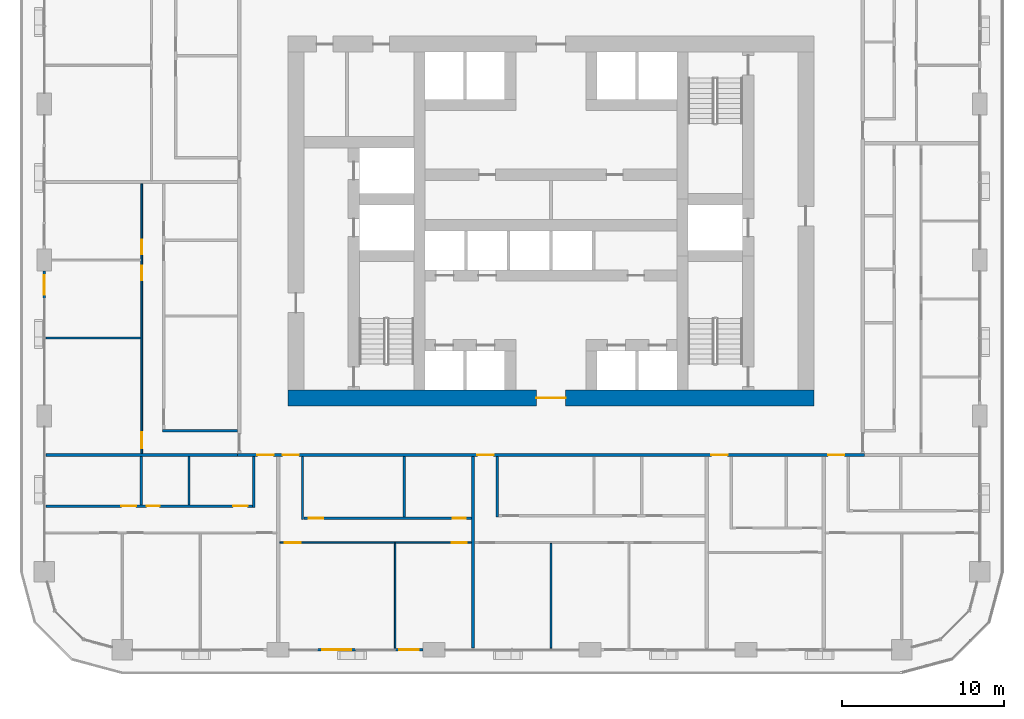
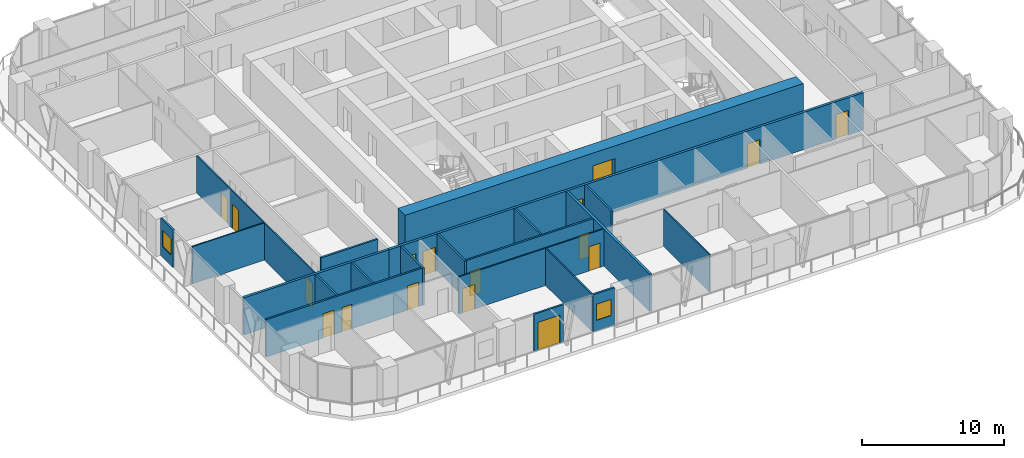
# One storey, part 9 of 21: 21 walls, 17 doors, 2 windows, 19 openings.
"""IFC4 building model written with IfcOpenShell, lengths in metres."""

import ifcopenshell
import ifcopenshell.guid

model = None  # the IFC model being written
_history = None  # IfcOwnerHistory: only IFC2X3 demands one
_inside = {}  # id of a spatial element -> (the spatial element, [elements in it])
_under = {}  # id of a project, library or spatial element -> (it, [spatial elements below it])
_declared = {}  # id of a project -> (the project, [libraries it declares])
_typed = {}  # id of a type object -> (the type object, [elements of that type])
_made_of = {}  # id of a material, layer set ... -> (it, [elements and type objects made of it])


def new_model(schema):
    """Start an empty IFC model of exactly this schema.

    Asked for "IFC4X3", IfcOpenShell would pick the latest addendum, in which some entities
    have other attributes; the version numbers below select the first issue.
    IFC2X3 requires an IfcOwnerHistory on every rooted entity: one is made here for all.
    """
    global model, _history
    if schema == "IFC4X3":
        model = ifcopenshell.file(schema_version=(4, 3, 0, 0))
    else:
        model = ifcopenshell.file(schema=schema)
    _inside.clear()
    _under.clear()
    _declared.clear()
    _typed.clear()
    _made_of.clear()
    _history = None
    if model.schema == "IFC2X3":
        org = make("IfcOrganization", Name="unknown")
        user = make(
            "IfcPersonAndOrganization",
            ThePerson=make("IfcPerson", FamilyName="unknown"),
            TheOrganization=org,
        )
        app = make(
            "IfcApplication",
            ApplicationDeveloper=org,
            Version="unknown",
            ApplicationFullName="unknown",
            ApplicationIdentifier="unknown",
        )
        _history = make(
            "IfcOwnerHistory",
            OwningUser=user,
            OwningApplication=app,
            ChangeAction="ADDED",
            CreationDate=0,
        )
    return model


def make(cls, **values):
    """One entity of the class cls with the attributes given. An attribute that is None is left unset."""
    return model.create_entity(
        cls, **{name: value for name, value in values.items() if value is not None}
    )


def rooted(cls, **values):
    """An entity with a GlobalId (a new one), such as an element, a storey or a relation."""
    return make(cls, GlobalId=ifcopenshell.guid.new(), OwnerHistory=_history, **values)


def si_unit(unit_type, name, prefix=None):
    """IfcSIUnit, for example si_unit("LENGTHUNIT", "METRE", prefix="MILLI")."""
    return make("IfcSIUnit", UnitType=unit_type, Prefix=prefix, Name=name)


def assignment(units):
    """IfcUnitAssignment: the units of a project."""
    return None if units is None else make("IfcUnitAssignment", Units=units)


def point(xyz):
    """IfcCartesianPoint."""
    return None if xyz is None else make("IfcCartesianPoint", Coordinates=xyz)


def direction(xyz):
    """IfcDirection."""
    return None if xyz is None else make("IfcDirection", DirectionRatios=xyz)


def frame(location, z_axis=None, x_axis=None):
    """IfcAxis2Placement3D, a coordinate frame: its origin and axes. An axis left out is left unset."""
    return make(
        "IfcAxis2Placement3D",
        Location=point(location),
        Axis=direction(z_axis),
        RefDirection=direction(x_axis),
    )


def frame_2d(location, x_axis=None):
    """IfcAxis2Placement2D, a coordinate frame in the plane: its origin and x axis."""
    return make(
        "IfcAxis2Placement2D", Location=point(location), RefDirection=direction(x_axis)
    )


def origin():
    """The frame at (0, 0, 0) with its axes left unset."""
    return frame((0.0, 0.0, 0.0))


def place(relative_to, where):
    """IfcLocalPlacement: puts the frame where relative to a parent placement (None: the world)."""
    return make(
        "IfcLocalPlacement", PlacementRelTo=relative_to, RelativePlacement=where
    )


def context(
    kind, dimensions, precision=None, world=None, true_north=None, identifier=None
):
    """IfcGeometricRepresentationContext, for example the 3D "Model" context."""
    return make(
        "IfcGeometricRepresentationContext",
        ContextIdentifier=identifier,
        ContextType=kind,
        CoordinateSpaceDimension=dimensions,
        Precision=precision,
        WorldCoordinateSystem=world,
        TrueNorth=true_north,
    )


def subcontext(parent, identifier, kind, view, scale=None):
    """IfcGeometricRepresentationSubContext, for example "Body" below "Model"."""
    return make(
        "IfcGeometricRepresentationSubContext",
        ContextIdentifier=identifier,
        ContextType=kind,
        ParentContext=parent,
        TargetScale=scale,
        TargetView=view,
    )


def project(units=None, contexts=None):
    """IfcProject with its units and contexts."""
    return rooted(
        "IfcProject",
        Name="project",
        RepresentationContexts=contexts,
        UnitsInContext=assignment(units),
    )


def spatial(cls, under=None, at=None, **own):
    """A site, building, storey or space (cls), placed at a placement, below another one or the project."""
    s = rooted(cls, ObjectPlacement=at, **own)
    if under is not None:
        _under.setdefault(under.id(), (under, []))[1].append(s)
    return s


def profile(cls, at=None, kind="AREA", **sizes):
    """A parametric profile (cls). Its sizes go by their IFC names, for example OverallWidth=200.0."""
    return make(cls, ProfileType=kind, Position=at, **sizes)


def rectangle(**sizes):
    """IfcRectangleProfileDef."""
    return profile("IfcRectangleProfileDef", **sizes)


def extrude(swept, where, along, depth):
    """IfcExtrudedAreaSolid: the profile swept, set in the frame where, extruded along a direction by depth."""
    return make(
        "IfcExtrudedAreaSolid",
        SweptArea=swept,
        Position=where,
        ExtrudedDirection=direction(along),
        Depth=depth,
    )


def shape(context_of_items, identifier, shape_type, items):
    """IfcShapeRepresentation: the items that make up one representation, for example the "Body"."""
    return make(
        "IfcShapeRepresentation",
        ContextOfItems=context_of_items,
        RepresentationIdentifier=identifier,
        RepresentationType=shape_type,
        Items=items,
    )


def material(Name=None, Category=None):
    """IfcMaterial."""
    return make("IfcMaterial", Name=Name, Category=Category)


def layer(
    of_material, thickness, ventilated=None, Name=None, Category=None, Priority=None
):
    """IfcMaterialLayer: one layer of a wall or slab, of a material (None: an air gap)."""
    return make(
        "IfcMaterialLayer",
        Material=of_material,
        LayerThickness=thickness,
        IsVentilated=ventilated,
        Name=Name,
        Category=Category,
        Priority=Priority,
    )


def layer_set(layers, Name=None):
    """IfcMaterialLayerSet."""
    return make("IfcMaterialLayerSet", MaterialLayers=layers, LayerSetName=Name)


def made_of(thing, what):
    """Note that an element or type object is made of a material, layer set ...; save() writes the relation."""
    if what is not None:
        _made_of.setdefault(what.id(), (what, []))[1].append(thing)
    return thing


def type_object(cls, material=None, **own):
    """A type object (cls), such as IfcWallType, which elements share."""
    return made_of(rooted(cls, **own), material)


def element(
    cls,
    number,
    at=None,
    inside=None,
    cuts=None,
    type_object=None,
    material=None,
    context=None,
    identifier="Body",
    shape_type=None,
    held_by="IfcProductDefinitionShape",
    body=None,
    shapes=None,
    **own,
):
    """One element of the class cls, such as IfcWall. Its Tag is "e" and its number.

    at: its placement. inside: the storey or other place that contains it. cuts: it is an
    opening in that element (IfcRelVoidsElement). A single representation is given by context,
    identifier, shape_type and body (its items); several are given by shapes. held_by: the class
    of the entity that holds the representations. save() writes the other relations.
    """
    e = rooted(cls, Tag="e%d" % number, ObjectPlacement=at, **own)
    if body is not None:
        shapes = [shape(context, identifier, shape_type, body)]
    if shapes is not None:
        e.Representation = make(held_by, Representations=shapes)
    if inside is not None:
        _inside.setdefault(inside.id(), (inside, []))[1].append(e)
    if cuts is not None:
        rooted(
            "IfcRelVoidsElement", RelatingBuildingElement=cuts, RelatedOpeningElement=e
        )
    if type_object is not None:
        _typed.setdefault(type_object.id(), (type_object, []))[1].append(e)
    return made_of(e, material)


def fill(opening, filler):
    """IfcRelFillsElement: the door or window that sits in an opening."""
    return rooted(
        "IfcRelFillsElement",
        RelatingOpeningElement=opening,
        RelatedBuildingElement=filler,
    )


def aggregate(whole, parts):
    """IfcRelAggregates: a whole, such as a stair, and the parts it consists of."""
    return rooted("IfcRelAggregates", RelatingObject=whole, RelatedObjects=parts)


def save(model, path):
    """Write the relations noted so far, then the file.

    IfcRelAggregates (storeys below a building ...), IfcRelContainedInSpatialStructure (elements
    in a storey), IfcRelDefinesByType, IfcRelAssociatesMaterial and IfcRelDeclares: one each for
    every whole, place, type object, material and project.
    """
    for whole, parts in _under.values():
        aggregate(whole, parts)
    for where, things in _inside.values():
        rooted(
            "IfcRelContainedInSpatialStructure",
            RelatedElements=things,
            RelatingStructure=where,
        )
    for kind, things in _typed.values():
        rooted("IfcRelDefinesByType", RelatedObjects=things, RelatingType=kind)
    for what, things in _made_of.values():
        rooted("IfcRelAssociatesMaterial", RelatedObjects=things, RelatingMaterial=what)
    for by, libraries in _declared.values():
        rooted("IfcRelDeclares", RelatingContext=by, RelatedDefinitions=libraries)
    model.write(path)


model = new_model("IFC4")

# Units and contexts
model_context = context("Model", 3, precision=1e-05, world=origin(), true_north=direction((0.0, 1.0)))
body_context = subcontext(model_context, "Body", "Model", "MODEL_VIEW")
ifc_project = project(units=[si_unit("LENGTHUNIT", "METRE"), si_unit("AREAUNIT", "SQUARE_METRE"), si_unit("VOLUMEUNIT", "CUBIC_METRE"), si_unit("PLANEANGLEUNIT", "RADIAN"), si_unit("MASSUNIT", "GRAM", prefix="KILO")], contexts=[model_context])

# Site, building, storey
site_placement = place(None, origin())
site = spatial("IfcSite", under=ifc_project, at=site_placement, CompositionType="ELEMENT")
building_placement = place(site_placement, origin())
building = spatial("IfcBuilding", under=site, at=building_placement, Name="Madar Terraces", CompositionType="ELEMENT")
storey_placement = place(building_placement, frame((0.0, 0.0, 29.39990234375)))
storey = spatial("IfcBuildingStorey", under=building, at=storey_placement, Name="L06", CompositionType="ELEMENT", Elevation=29.39990234375)

# Wall, opening, door
ifc_material_1 = material(Name="Concrete C80/95", Category="concrete")
ifc_layer_1 = layer(ifc_material_1, 1.0)
ifc_layer_set_1 = layer_set([ifc_layer_1], Name="Concrete C80/95 (CRW1 RC wall 1000)")
wall_type_1 = type_object("IfcWallType", Name="CRW1 RC wall 1000", PredefinedType="SHEAR", material=ifc_layer_set_1)
wall_1_placement = place(storey_placement, frame((15.0, 15.5, 0.0), z_axis=(0.0, 0.0, 1.0), x_axis=(1.0, 0.0, 0.0)))
wall_1 = element("IfcWall", 1, at=wall_1_placement, inside=storey, type_object=wall_type_1, Name="CORE OUTER WALL", PredefinedType="SHEAR", context=body_context, shape_type="SweptSolid", body=[
    extrude(rectangle(XDim=32.39990234375, YDim=1.0, at=frame_2d((16.199951171875, 0.0))), origin(), (0.0, 0.0, 1.0), 3.2001953125),
])
opening_1_placement = place(wall_1_placement, frame((15.300048828125, 0.0, 0.0)))
opening_1 = element("IfcOpeningElement", 2, at=opening_1_placement, cuts=wall_1, Name="Opening KD1", PredefinedType="OPENING", context=body_context, shape_type="SweptSolid", body=[
    extrude(rectangle(XDim=1.800048828125, YDim=2.10009765625, at=frame_2d((0.89990234375, 1.050048828125))), frame((0.0, 0.510009765625, 0.0), z_axis=(0.0, -1.0, 0.0), x_axis=(1.0, 0.0, 0.0)), (0.0, 0.0, 1.0), 1.02001953125),
])
ifc_material_2 = material(Name="Steel door leaf", Category="steel")
door_type_1 = type_object("IfcDoorType", Name="Lobby door pair 1800 x 2100", OperationType="DOUBLE_DOOR_SINGLE_SWING", PredefinedType="DOOR", material=ifc_material_2)
door_1_placement = place(opening_1_placement, frame((1.800048828125, 0.0, 0.0), z_axis=(0.0, 0.0, 1.0), x_axis=(-1.0, 0.0, 0.0)))
door_1 = element("IfcDoor", 3, at=door_1_placement, inside=storey, type_object=door_type_1, Name="LIFT LOBBY DOOR", OperationType="DOUBLE_DOOR_SINGLE_SWING", OverallHeight=2.10009765625, OverallWidth=1.800048828125, PredefinedType="DOOR", context=body_context, shape_type="SweptSolid", body=[
    extrude(rectangle(XDim=1.800048828125, YDim=2.10009765625, at=frame_2d((0.89990234375, 1.050048828125))), frame((0.0, 0.02490234375, 0.0), z_axis=(0.0, -1.0, 0.0), x_axis=(1.0, 0.0, 0.0)), (0.0, 0.0, 1.0), 0.050048828125),
])
fill(opening_1, door_1)

ifc_material_3 = material(Name="Aluminium composite panel, black, over insulated backing", Category="aluminium")
ifc_layer_2 = layer(ifc_material_3, 0.14990234375)
ifc_layer_set_2 = layer_set([ifc_layer_2], Name="Facade bay panel 150")
wall_type_2 = type_object("IfcWallType", Name="Facade bay panel 150", PredefinedType="SOLIDWALL", material=ifc_layer_set_2)
wall_2_placement = place(storey_placement, frame((16.800048828125, 0.0, 0.0), z_axis=(0.0, 0.0, 1.0), x_axis=(1.0, 0.0, 0.0)))
wall_2 = element("IfcWall", 4, at=wall_2_placement, inside=storey, type_object=wall_type_2, Name="Facade bay panel", PredefinedType="SOLIDWALL", context=body_context, shape_type="SweptSolid", body=[
    extrude(rectangle(XDim=2.39990234375, YDim=0.14990234375, at=frame_2d((1.199951171875, 0.0))), origin(), (0.0, 0.0, 1.0), 3.2001953125),
])
opening_2_placement = place(wall_2_placement, frame((0.300048828125, 0.0, 0.0)))
opening_2 = element("IfcOpeningElement", 5, at=opening_2_placement, cuts=wall_2, Name="Opening ED1", PredefinedType="OPENING", context=body_context, shape_type="SweptSolid", body=[
    extrude(rectangle(XDim=1.800048828125, YDim=2.39990234375, at=frame_2d((0.89990234375, 1.199951171875))), frame((0.0, 0.0849609375, 0.0), z_axis=(0.0, -1.0, 0.0), x_axis=(1.0, 0.0, 0.0)), (0.0, 0.0, 1.0), 0.169921875),
])
ifc_material_4 = material(Name="Glass, clear, with black aluminium frame", Category="aluminium")
door_type_2 = type_object("IfcDoorType", Name="Balcony and terrace sliding door 1800 x 2400", OperationType="SLIDING_TO_LEFT", PredefinedType="DOOR", material=ifc_material_4)
door_2_placement = place(opening_2_placement, origin())
door_2 = element("IfcDoor", 6, at=door_2_placement, inside=storey, type_object=door_type_2, Name="Balcony door", OperationType="SLIDING_TO_LEFT", OverallHeight=2.39990234375, OverallWidth=1.800048828125, PredefinedType="DOOR", context=body_context, shape_type="SweptSolid", body=[
    extrude(rectangle(XDim=1.800048828125, YDim=2.39990234375, at=frame_2d((0.89990234375, 1.199951171875))), frame((0.0, 0.02490234375, 0.0), z_axis=(0.0, -1.0, 0.0), x_axis=(1.0, 0.0, 0.0)), (0.0, 0.0, 1.0), 0.050048828125),
])
fill(opening_2, door_2)

# Wall, opening, window
wall_3_placement = place(storey_placement, frame((21.60009765625, 0.0, 0.0), z_axis=(0.0, 0.0, 1.0), x_axis=(1.0, 0.0, 0.0)))
wall_3 = element("IfcWall", 7, at=wall_3_placement, inside=storey, type_object=wall_type_2, Name="Facade bay panel", PredefinedType="SOLIDWALL", context=body_context, shape_type="SweptSolid", body=[
    extrude(rectangle(XDim=1.724853515625, YDim=0.14990234375, at=frame_2d((0.8623046875, 0.0))), origin(), (0.0, 0.0, 1.0), 3.2001953125),
])
opening_3_placement = place(wall_3_placement, frame((0.262451171875, 0.0, 0.89990234375)))
opening_3 = element("IfcOpeningElement", 8, at=opening_3_placement, cuts=wall_3, Name="Opening W1", PredefinedType="OPENING", context=body_context, shape_type="SweptSolid", body=[
    extrude(rectangle(XDim=1.199951171875, YDim=1.39990234375, at=frame_2d((0.60009765625, 0.699951171875))), frame((0.0, 0.0849609375, 0.0), z_axis=(0.0, -1.0, 0.0), x_axis=(1.0, 0.0, 0.0)), (0.0, 0.0, 1.0), 0.169921875),
])
ifc_material_5 = material(Name="Glass, clear, with black aluminium frame", Category="aluminium")
window_type = type_object("IfcWindowType", Name="Vent window 1200 x 1400", PartitioningType="SINGLE_PANEL", PredefinedType="WINDOW", material=ifc_material_5)
window_1_placement = place(opening_3_placement, origin())
window_1 = element("IfcWindow", 9, at=window_1_placement, inside=storey, type_object=window_type, Name="Operable vent window", OverallHeight=1.39990234375, OverallWidth=1.199951171875, PartitioningType="SINGLE_PANEL", PredefinedType="WINDOW", context=body_context, shape_type="SweptSolid", body=[
    extrude(rectangle(XDim=1.199951171875, YDim=1.39990234375, at=frame_2d((0.60009765625, 0.699951171875))), frame((0.0, 0.030029296875, 0.0), z_axis=(0.0, -1.0, 0.0), x_axis=(1.0, 0.0, 0.0)), (0.0, 0.0, 1.0), 0.06005859375),
])
fill(opening_3, window_1)

wall_4_placement = place(storey_placement, frame((0.0, 23.324951171875, 0.0), z_axis=(0.0, 0.0, 1.0), x_axis=(0.0, -1.0, 0.0)))
wall_4 = element("IfcWall", 10, at=wall_4_placement, inside=storey, type_object=wall_type_2, Name="Facade bay panel", PredefinedType="SOLIDWALL", context=body_context, shape_type="SweptSolid", body=[
    extrude(rectangle(XDim=1.724853515625, YDim=0.14990234375, at=frame_2d((0.8623046875, 0.0))), origin(), (0.0, 0.0, 1.0), 3.2001953125),
])
opening_4_placement = place(wall_4_placement, frame((0.262451171875, 0.0, 0.89990234375)))
opening_4 = element("IfcOpeningElement", 11, at=opening_4_placement, cuts=wall_4, Name="Opening W1", PredefinedType="OPENING", context=body_context, shape_type="SweptSolid", body=[
    extrude(rectangle(XDim=1.199951171875, YDim=1.39990234375, at=frame_2d((0.60009765625, 0.699951171875))), frame((0.0, 0.0849609375, 0.0), z_axis=(0.0, -1.0, 0.0), x_axis=(1.0, 0.0, 0.0)), (0.0, 0.0, 1.0), 0.169921875),
])
window_2_placement = place(opening_4_placement, origin())
window_2 = element("IfcWindow", 12, at=window_2_placement, inside=storey, type_object=window_type, Name="Operable vent window", OverallHeight=1.39990234375, OverallWidth=1.199951171875, PartitioningType="SINGLE_PANEL", PredefinedType="WINDOW", context=body_context, shape_type="SweptSolid", body=[
    extrude(rectangle(XDim=1.199951171875, YDim=1.39990234375, at=frame_2d((0.60009765625, 0.699951171875))), frame((0.0, 0.030029296875, 0.0), z_axis=(0.0, -1.0, 0.0), x_axis=(1.0, 0.0, 0.0)), (0.0, 0.0, 1.0), 0.06005859375),
])
fill(opening_4, window_2)

# Wall
ifc_material_6 = material(Name="Gypsum board on steel studs", Category="steel")
ifc_layer_3 = layer(ifc_material_6, 0.10009765625)
ifc_layer_set_3 = layer_set([ifc_layer_3], Name="Flat partition 100")
wall_type_3 = type_object("IfcWallType", Name="Flat partition 100", PredefinedType="PARTITIONING", material=ifc_layer_set_3)
wall_5_placement = place(storey_placement, frame((21.60009765625, 6.550048828125, 0.0), z_axis=(0.0, 0.0, 1.0), x_axis=(0.0, -1.0, 0.0)))
element("IfcWall", 13, at=wall_5_placement, inside=storey, type_object=wall_type_3, Name="Flat partition 100", PredefinedType="PARTITIONING", context=body_context, shape_type="SweptSolid", body=[
    extrude(rectangle(XDim=6.449951171875, YDim=0.10009765625, at=frame_2d((3.22509765625, 0.0))), origin(), (0.0, 0.0, 1.0), 3.2001953125),
])

# Wall, openings, doors
wall_6_placement = place(storey_placement, frame((26.300048828125, 6.60009765625, 0.0), z_axis=(0.0, 0.0, 1.0), x_axis=(-1.0, 0.0, 0.0)))
wall_6 = element("IfcWall", 14, at=wall_6_placement, inside=storey, type_object=wall_type_3, Name="Flat partition 100", PredefinedType="PARTITIONING", context=body_context, shape_type="SweptSolid", body=[
    extrude(rectangle(XDim=11.800048828125, YDim=0.10009765625, at=frame_2d((5.89990234375, 0.0))), origin(), (0.0, 0.0, 1.0), 3.2001953125),
])
opening_5_placement = place(wall_6_placement, frame((10.5, 0.0, 0.0)))
opening_5 = element("IfcOpeningElement", 15, at=opening_5_placement, cuts=wall_6, Name="Opening D3", PredefinedType="OPENING", context=body_context, shape_type="SweptSolid", body=[
    extrude(rectangle(XDim=1.0, YDim=2.10009765625, at=frame_2d((0.5, 1.050048828125))), frame((0.0, 0.06005859375, 0.0), z_axis=(0.0, -1.0, 0.0), x_axis=(1.0, 0.0, 0.0)), (0.0, 0.0, 1.0), 0.1201171875),
])
opening_6_placement = place(wall_6_placement, frame((0.300048828125, 0.0, 0.0)))
opening_6 = element("IfcOpeningElement", 16, at=opening_6_placement, cuts=wall_6, Name="Opening D2", PredefinedType="OPENING", context=body_context, shape_type="SweptSolid", body=[
    extrude(rectangle(XDim=0.89990234375, YDim=2.10009765625, at=frame_2d((0.449951171875, 1.050048828125))), frame((0.0, 0.06005859375, 0.0), z_axis=(0.0, -1.0, 0.0), x_axis=(1.0, 0.0, 0.0)), (0.0, 0.0, 1.0), 0.1201171875),
])
ifc_material_7 = material(Name="Timber door leaf", Category="wood")
door_type_3 = type_object("IfcDoorType", Name="Flat living room door 1000", OperationType="NOTDEFINED", PredefinedType="DOOR", material=ifc_material_7)
door_3_placement = place(opening_5_placement, origin())
door_3 = element("IfcDoor", 17, at=door_3_placement, inside=storey, type_object=door_type_3, Name="Flat living room door 1000", OperationType="SINGLE_SWING_RIGHT", OverallHeight=2.10009765625, OverallWidth=1.0, PredefinedType="DOOR", context=body_context, shape_type="SweptSolid", body=[
    extrude(rectangle(XDim=1.0, YDim=2.10009765625, at=frame_2d((0.5, 1.050048828125))), frame((0.0, 0.02490234375, 0.0), z_axis=(0.0, -1.0, 0.0), x_axis=(1.0, 0.0, 0.0)), (0.0, 0.0, 1.0), 0.050048828125),
])
fill(opening_5, door_3)
ifc_material_8 = material(Name="Timber door leaf", Category="wood")
door_type_4 = type_object("IfcDoorType", Name="Flat room door 900", OperationType="NOTDEFINED", PredefinedType="DOOR", material=ifc_material_8)
door_4_placement = place(opening_6_placement, origin())
door_4 = element("IfcDoor", 18, at=door_4_placement, inside=storey, type_object=door_type_4, Name="Flat room door 900", OperationType="SINGLE_SWING_LEFT", OverallHeight=2.10009765625, OverallWidth=0.89990234375, PredefinedType="DOOR", context=body_context, shape_type="SweptSolid", body=[
    extrude(rectangle(XDim=0.89990234375, YDim=2.10009765625, at=frame_2d((0.449951171875, 1.050048828125))), frame((0.0, 0.02490234375, 0.0), z_axis=(0.0, -1.0, 0.0), x_axis=(1.0, 0.0, 0.0)), (0.0, 0.0, 1.0), 0.050048828125),
])
fill(opening_6, door_4)

# Walls
wall_7_placement = place(storey_placement, frame((31.199951171875, 6.550048828125, 0.0), z_axis=(0.0, 0.0, 1.0), x_axis=(0.0, -1.0, 0.0)))
element("IfcWall", 19, at=wall_7_placement, inside=storey, type_object=wall_type_3, Name="Flat partition 100", PredefinedType="PARTITIONING", context=body_context, shape_type="SweptSolid", body=[
    extrude(rectangle(XDim=6.449951171875, YDim=0.10009765625, at=frame_2d((3.22509765625, 0.0))), origin(), (0.0, 0.0, 1.0), 3.2001953125),
])
wall_8_placement = place(storey_placement, frame((5.949951171875, 19.199951171875, 0.0), z_axis=(0.0, 0.0, 1.0), x_axis=(-1.0, 0.0, 0.0)))
element("IfcWall", 20, at=wall_8_placement, inside=storey, type_object=wall_type_3, Name="Flat partition 100", PredefinedType="PARTITIONING", context=body_context, shape_type="SweptSolid", body=[
    extrude(rectangle(XDim=5.849853515625, YDim=0.10009765625, at=frame_2d((2.9248046875, 0.0))), origin(), (0.0, 0.0, 1.0), 3.2001953125),
])

# Wall, openings, doors
wall_9_placement = place(storey_placement, frame((6.0, 12.10009765625, 0.0), z_axis=(0.0, 0.0, 1.0), x_axis=(0.0, 1.0, 0.0)))
wall_9 = element("IfcWall", 21, at=wall_9_placement, inside=storey, type_object=wall_type_3, Name="Flat partition 100", PredefinedType="PARTITIONING", context=body_context, shape_type="SweptSolid", body=[
    extrude(rectangle(XDim=16.599853515625, YDim=0.10009765625, at=frame_2d((8.2998046875, 0.0))), origin(), (0.0, 0.0, 1.0), 3.2001953125),
])
opening_7_placement = place(wall_9_placement, frame((0.300048828125, 0.0, 0.0)))
opening_7 = element("IfcOpeningElement", 22, at=opening_7_placement, cuts=wall_9, Name="Opening D3", PredefinedType="OPENING", context=body_context, shape_type="SweptSolid", body=[
    extrude(rectangle(XDim=1.0, YDim=2.10009765625, at=frame_2d((0.5, 1.050048828125))), frame((0.0, 0.06005859375, 0.0), z_axis=(0.0, -1.0, 0.0), x_axis=(1.0, 0.0, 0.0)), (0.0, 0.0, 1.0), 0.1201171875),
])
opening_8_placement = place(wall_9_placement, frame((10.64990234375, 0.0, 0.0)))
opening_8 = element("IfcOpeningElement", 23, at=opening_8_placement, cuts=wall_9, Name="Opening D2", PredefinedType="OPENING", context=body_context, shape_type="SweptSolid", body=[
    extrude(rectangle(XDim=0.89990234375, YDim=2.10009765625, at=frame_2d((0.449951171875, 1.050048828125))), frame((0.0, 0.06005859375, 0.0), z_axis=(0.0, -1.0, 0.0), x_axis=(1.0, 0.0, 0.0)), (0.0, 0.0, 1.0), 0.1201171875),
])
opening_9_placement = place(wall_9_placement, frame((12.25, 0.0, 0.0)))
opening_9 = element("IfcOpeningElement", 24, at=opening_9_placement, cuts=wall_9, Name="Opening D2", PredefinedType="OPENING", context=body_context, shape_type="SweptSolid", body=[
    extrude(rectangle(XDim=0.89990234375, YDim=2.10009765625, at=frame_2d((0.449951171875, 1.050048828125))), frame((0.0, 0.06005859375, 0.0), z_axis=(0.0, -1.0, 0.0), x_axis=(1.0, 0.0, 0.0)), (0.0, 0.0, 1.0), 0.1201171875),
])
door_5_placement = place(opening_7_placement, origin())
door_5 = element("IfcDoor", 25, at=door_5_placement, inside=storey, type_object=door_type_3, Name="Flat living room door 1000", OperationType="SINGLE_SWING_LEFT", OverallHeight=2.10009765625, OverallWidth=1.0, PredefinedType="DOOR", context=body_context, shape_type="SweptSolid", body=[
    extrude(rectangle(XDim=1.0, YDim=2.10009765625, at=frame_2d((0.5, 1.050048828125))), frame((0.0, 0.02490234375, 0.0), z_axis=(0.0, -1.0, 0.0), x_axis=(1.0, 0.0, 0.0)), (0.0, 0.0, 1.0), 0.050048828125),
])
fill(opening_7, door_5)
door_6_placement = place(opening_8_placement, origin())
door_6 = element("IfcDoor", 26, at=door_6_placement, inside=storey, type_object=door_type_4, Name="Flat room door 900", OperationType="SINGLE_SWING_RIGHT", OverallHeight=2.10009765625, OverallWidth=0.89990234375, PredefinedType="DOOR", context=body_context, shape_type="SweptSolid", body=[
    extrude(rectangle(XDim=0.89990234375, YDim=2.10009765625, at=frame_2d((0.449951171875, 1.050048828125))), frame((0.0, 0.02490234375, 0.0), z_axis=(0.0, -1.0, 0.0), x_axis=(1.0, 0.0, 0.0)), (0.0, 0.0, 1.0), 0.050048828125),
])
fill(opening_8, door_6)
door_7_placement = place(opening_9_placement, origin())
door_7 = element("IfcDoor", 27, at=door_7_placement, inside=storey, type_object=door_type_4, Name="Flat room door 900", OperationType="SINGLE_SWING_LEFT", OverallHeight=2.10009765625, OverallWidth=0.89990234375, PredefinedType="DOOR", context=body_context, shape_type="SweptSolid", body=[
    extrude(rectangle(XDim=0.89990234375, YDim=2.10009765625, at=frame_2d((0.449951171875, 1.050048828125))), frame((0.0, 0.02490234375, 0.0), z_axis=(0.0, -1.0, 0.0), x_axis=(1.0, 0.0, 0.0)), (0.0, 0.0, 1.0), 0.050048828125),
])
fill(opening_9, door_7)

ifc_material_9 = material(Name="Lightweight blockwork", Category="masonry")
ifc_layer_4 = layer(ifc_material_9, 0.199951171875)
ifc_layer_set_4 = layer_set([ifc_layer_4], Name="Flat party and entrance wall 200")
wall_type_4 = type_object("IfcWallType", Name="Flat party and entrance wall 200", PredefinedType="PARTITIONING", material=ifc_layer_set_4)
wall_10_placement = place(storey_placement, frame((50.5, 12.0, 0.0), z_axis=(0.0, 0.0, 1.0), x_axis=(-1.0, 0.0, 0.0)))
wall_10 = element("IfcWall", 28, at=wall_10_placement, inside=storey, type_object=wall_type_4, Name="Flat party and entrance wall 200", PredefinedType="PARTITIONING", context=body_context, shape_type="SweptSolid", body=[
    extrude(rectangle(XDim=38.60009765625, YDim=0.199951171875, at=frame_2d((19.300048828125, 0.0))), origin(), (0.0, 0.0, 1.0), 3.2001953125),
])
opening_10_placement = place(wall_10_placement, frame((36.375, 0.0, 0.0)))
opening_10 = element("IfcOpeningElement", 29, at=opening_10_placement, cuts=wall_10, Name="Opening D1", PredefinedType="OPENING", context=body_context, shape_type="SweptSolid", body=[
    extrude(rectangle(XDim=1.0, YDim=2.10009765625, at=frame_2d((0.5, 1.050048828125))), frame((0.0, 0.10986328125, 0.0), z_axis=(0.0, -1.0, 0.0), x_axis=(1.0, 0.0, 0.0)), (0.0, 0.0, 1.0), 0.219970703125),
])
opening_11_placement = place(wall_10_placement, frame((34.824951171875, 0.0, 0.0)))
opening_11 = element("IfcOpeningElement", 30, at=opening_11_placement, cuts=wall_10, Name="Opening D1", PredefinedType="OPENING", context=body_context, shape_type="SweptSolid", body=[
    extrude(rectangle(XDim=1.0, YDim=2.10009765625, at=frame_2d((0.5, 1.050048828125))), frame((0.0, 0.10986328125, 0.0), z_axis=(0.0, -1.0, 0.0), x_axis=(1.0, 0.0, 0.0)), (0.0, 0.0, 1.0), 0.219970703125),
])
opening_12_placement = place(wall_10_placement, frame((22.824951171875, 0.0, 0.0)))
opening_12 = element("IfcOpeningElement", 31, at=opening_12_placement, cuts=wall_10, Name="Opening D1", PredefinedType="OPENING", context=body_context, shape_type="SweptSolid", body=[
    extrude(rectangle(XDim=1.0, YDim=2.10009765625, at=frame_2d((0.5, 1.050048828125))), frame((0.0, 0.10986328125, 0.0), z_axis=(0.0, -1.0, 0.0), x_axis=(1.0, 0.0, 0.0)), (0.0, 0.0, 1.0), 0.219970703125),
])
opening_13_placement = place(wall_10_placement, frame((8.425048828125, 0.0, 0.0)))
opening_13 = element("IfcOpeningElement", 32, at=opening_13_placement, cuts=wall_10, Name="Opening D1", PredefinedType="OPENING", context=body_context, shape_type="SweptSolid", body=[
    extrude(rectangle(XDim=1.0, YDim=2.10009765625, at=frame_2d((0.5, 1.050048828125))), frame((0.0, 0.10986328125, 0.0), z_axis=(0.0, -1.0, 0.0), x_axis=(1.0, 0.0, 0.0)), (0.0, 0.0, 1.0), 0.219970703125),
])
opening_14_placement = place(wall_10_placement, frame((1.22509765625, 0.0, 0.0)))
opening_14 = element("IfcOpeningElement", 33, at=opening_14_placement, cuts=wall_10, Name="Opening D1", PredefinedType="OPENING", context=body_context, shape_type="SweptSolid", body=[
    extrude(rectangle(XDim=1.0, YDim=2.10009765625, at=frame_2d((0.5, 1.050048828125))), frame((0.0, 0.10986328125, 0.0), z_axis=(0.0, -1.0, 0.0), x_axis=(1.0, 0.0, 0.0)), (0.0, 0.0, 1.0), 0.219970703125),
])
ifc_material_10 = material(Name="Timber fire door leaf", Category="wood")
door_type_5 = type_object("IfcDoorType", Name="Flat entrance door 1000 FD30S", OperationType="NOTDEFINED", PredefinedType="DOOR", material=ifc_material_10)
door_8_placement = place(opening_10_placement, origin())
door_8 = element("IfcDoor", 34, at=door_8_placement, inside=storey, type_object=door_type_5, Name="Flat entrance door 1000 FD30S", OperationType="SINGLE_SWING_LEFT", OverallHeight=2.10009765625, OverallWidth=1.0, PredefinedType="DOOR", context=body_context, shape_type="SweptSolid", body=[
    extrude(rectangle(XDim=1.0, YDim=2.10009765625, at=frame_2d((0.5, 1.050048828125))), frame((0.0, 0.02490234375, 0.0), z_axis=(0.0, -1.0, 0.0), x_axis=(1.0, 0.0, 0.0)), (0.0, 0.0, 1.0), 0.050048828125),
])
fill(opening_10, door_8)
door_9_placement = place(opening_11_placement, origin())
door_9 = element("IfcDoor", 35, at=door_9_placement, inside=storey, type_object=door_type_5, Name="Flat entrance door 1000 FD30S", OperationType="SINGLE_SWING_RIGHT", OverallHeight=2.10009765625, OverallWidth=1.0, PredefinedType="DOOR", context=body_context, shape_type="SweptSolid", body=[
    extrude(rectangle(XDim=1.0, YDim=2.10009765625, at=frame_2d((0.5, 1.050048828125))), frame((0.0, 0.02490234375, 0.0), z_axis=(0.0, -1.0, 0.0), x_axis=(1.0, 0.0, 0.0)), (0.0, 0.0, 1.0), 0.050048828125),
])
fill(opening_11, door_9)
door_10_placement = place(opening_12_placement, origin())
door_10 = element("IfcDoor", 36, at=door_10_placement, inside=storey, type_object=door_type_5, Name="Flat entrance door 1000 FD30S", OperationType="SINGLE_SWING_RIGHT", OverallHeight=2.10009765625, OverallWidth=1.0, PredefinedType="DOOR", context=body_context, shape_type="SweptSolid", body=[
    extrude(rectangle(XDim=1.0, YDim=2.10009765625, at=frame_2d((0.5, 1.050048828125))), frame((0.0, 0.02490234375, 0.0), z_axis=(0.0, -1.0, 0.0), x_axis=(1.0, 0.0, 0.0)), (0.0, 0.0, 1.0), 0.050048828125),
])
fill(opening_12, door_10)
door_11_placement = place(opening_13_placement, origin())
door_11 = element("IfcDoor", 37, at=door_11_placement, inside=storey, type_object=door_type_5, Name="Flat entrance door 1000 FD30S", OperationType="SINGLE_SWING_RIGHT", OverallHeight=2.10009765625, OverallWidth=1.0, PredefinedType="DOOR", context=body_context, shape_type="SweptSolid", body=[
    extrude(rectangle(XDim=1.0, YDim=2.10009765625, at=frame_2d((0.5, 1.050048828125))), frame((0.0, 0.02490234375, 0.0), z_axis=(0.0, -1.0, 0.0), x_axis=(1.0, 0.0, 0.0)), (0.0, 0.0, 1.0), 0.050048828125),
])
fill(opening_13, door_11)
door_12_placement = place(opening_14_placement, origin())
door_12 = element("IfcDoor", 38, at=door_12_placement, inside=storey, type_object=door_type_5, Name="Flat entrance door 1000 FD30S", OperationType="SINGLE_SWING_RIGHT", OverallHeight=2.10009765625, OverallWidth=1.0, PredefinedType="DOOR", context=body_context, shape_type="SweptSolid", body=[
    extrude(rectangle(XDim=1.0, YDim=2.10009765625, at=frame_2d((0.5, 1.050048828125))), frame((0.0, 0.02490234375, 0.0), z_axis=(0.0, -1.0, 0.0), x_axis=(1.0, 0.0, 0.0)), (0.0, 0.0, 1.0), 0.050048828125),
])
fill(opening_14, door_12)

# Walls
for number, where, z_axis, x_axis, name in (
    (39, (0.10009765625, 12.0, 0.0), (0.0, 0.0, 1.0), (1.0, 0.0, 0.0), "Flat party and entrance wall 200"),
    (40, (26.39990234375, 11.89990234375, 0.0), (0.0, 0.0, 1.0), (0.0, -1.0, 0.0), "Flat party and entrance wall 200"),
):
    element("IfcWall", number, at=place(storey_placement, frame(where, z_axis=z_axis, x_axis=x_axis)), inside=storey, type_object=wall_type_4, Name=name, PredefinedType="PARTITIONING", context=body_context, shape_type="SweptSolid", body=[
        extrude(rectangle(XDim=11.7998046875, YDim=0.199951171875, at=frame_2d((5.89990234375, 0.0))), origin(), (0.0, 0.0, 1.0), 3.2001953125),
    ])
ifc_material_11 = material(Name="Lightweight blockwork", Category="masonry")
ifc_layer_5 = layer(ifc_material_11, 0.14990234375)
ifc_layer_set_5 = layer_set([ifc_layer_5], Name="Flat wet-room partition 150")
wall_type_5 = type_object("IfcWallType", Name="Flat wet-room partition 150", PredefinedType="PARTITIONING", material=ifc_layer_set_5)
for number, where, z_axis, x_axis, name in (
    (41, (8.90966796875, 11.89990234375, 0.0), (0.0, 0.0, 1.0), (0.0, -1.0, 0.0), "Flat wet-room partition 150"),
    (42, (5.97314453125, 11.89990234375, 0.0), (0.0, 0.0, 1.0), (0.0, -1.0, 0.0), "Flat wet-room partition 150"),
):
    element("IfcWall", number, at=place(storey_placement, frame(where, z_axis=z_axis, x_axis=x_axis)), inside=storey, type_object=wall_type_5, Name=name, PredefinedType="PARTITIONING", context=body_context, shape_type="SweptSolid", body=[
        extrude(rectangle(XDim=2.974853515625, YDim=0.14990234375, at=frame_2d((1.4873046875, 0.0))), origin(), (0.0, 0.0, 1.0), 3.2001953125),
    ])
wall_11_placement = place(storey_placement, frame((12.89990234375, 11.89990234375, 0.0), z_axis=(0.0, 0.0, 1.0), x_axis=(0.0, -1.0, 0.0)))
element("IfcWall", 43, at=wall_11_placement, inside=storey, type_object=wall_type_5, Name="Flat wet-room partition 150", PredefinedType="PARTITIONING", context=body_context, shape_type="SweptSolid", body=[
    extrude(rectangle(XDim=3.125, YDim=0.14990234375, at=frame_2d((1.5625, 0.0))), origin(), (0.0, 0.0, 1.0), 3.2001953125),
])

# Wall, openings, doors
wall_12_placement = place(storey_placement, frame((0.10009765625, 8.85009765625, 0.0), z_axis=(0.0, 0.0, 1.0), x_axis=(1.0, 0.0, 0.0)))
wall_12 = element("IfcWall", 44, at=wall_12_placement, inside=storey, type_object=wall_type_5, Name="Flat wet-room partition 150", PredefinedType="PARTITIONING", context=body_context, shape_type="SweptSolid", body=[
    extrude(rectangle(XDim=12.724853515625, YDim=0.14990234375, at=frame_2d((6.3623046875, 0.0))), origin(), (0.0, 0.0, 1.0), 3.2001953125),
])
opening_15_placement = place(wall_12_placement, frame((11.52490234375, 0.0, 0.0)))
opening_15 = element("IfcOpeningElement", 45, at=opening_15_placement, cuts=wall_12, Name="Opening D5", PredefinedType="OPENING", context=body_context, shape_type="SweptSolid", body=[
    extrude(rectangle(XDim=0.89990234375, YDim=2.10009765625, at=frame_2d((0.449951171875, 1.050048828125))), frame((0.0, 0.0849609375, 0.0), z_axis=(0.0, -1.0, 0.0), x_axis=(1.0, 0.0, 0.0)), (0.0, 0.0, 1.0), 0.169921875),
])
opening_16_placement = place(wall_12_placement, frame((6.197998046875, 0.0, 0.0)))
opening_16 = element("IfcOpeningElement", 46, at=opening_16_placement, cuts=wall_12, Name="Opening D4", PredefinedType="OPENING", context=body_context, shape_type="SweptSolid", body=[
    extrude(rectangle(XDim=0.800048828125, YDim=2.10009765625, at=frame_2d((0.39990234375, 1.050048828125))), frame((0.0, 0.0849609375, 0.0), z_axis=(0.0, -1.0, 0.0), x_axis=(1.0, 0.0, 0.0)), (0.0, 0.0, 1.0), 0.169921875),
])
opening_17_placement = place(wall_12_placement, frame((4.648193359375, 0.0, 0.0)))
opening_17 = element("IfcOpeningElement", 47, at=opening_17_placement, cuts=wall_12, Name="Opening D2", PredefinedType="OPENING", context=body_context, shape_type="SweptSolid", body=[
    extrude(rectangle(XDim=0.89990234375, YDim=2.10009765625, at=frame_2d((0.449951171875, 1.050048828125))), frame((0.0, 0.0849609375, 0.0), z_axis=(0.0, -1.0, 0.0), x_axis=(1.0, 0.0, 0.0)), (0.0, 0.0, 1.0), 0.169921875),
])
ifc_material_12 = material(Name="Timber door leaf", Category="wood")
door_type_6 = type_object("IfcDoorType", Name="Flat accessible bathroom door 900", OperationType="NOTDEFINED", PredefinedType="DOOR", material=ifc_material_12)
door_13_placement = place(opening_15_placement, origin())
door_13 = element("IfcDoor", 48, at=door_13_placement, inside=storey, type_object=door_type_6, Name="Flat accessible bathroom door 900", OperationType="SINGLE_SWING_RIGHT", OverallHeight=2.10009765625, OverallWidth=0.89990234375, PredefinedType="DOOR", context=body_context, shape_type="SweptSolid", body=[
    extrude(rectangle(XDim=0.89990234375, YDim=2.10009765625, at=frame_2d((0.449951171875, 1.050048828125))), frame((0.0, 0.02490234375, 0.0), z_axis=(0.0, -1.0, 0.0), x_axis=(1.0, 0.0, 0.0)), (0.0, 0.0, 1.0), 0.050048828125),
])
fill(opening_15, door_13)
ifc_material_13 = material(Name="Timber door leaf", Category="wood")
door_type_7 = type_object("IfcDoorType", Name="Flat bathroom door 800", OperationType="NOTDEFINED", PredefinedType="DOOR", material=ifc_material_13)
door_14_placement = place(opening_16_placement, origin())
door_14 = element("IfcDoor", 49, at=door_14_placement, inside=storey, type_object=door_type_7, Name="Flat bathroom door 800", OperationType="SINGLE_SWING_LEFT", OverallHeight=2.10009765625, OverallWidth=0.800048828125, PredefinedType="DOOR", context=body_context, shape_type="SweptSolid", body=[
    extrude(rectangle(XDim=0.800048828125, YDim=2.10009765625, at=frame_2d((0.39990234375, 1.050048828125))), frame((0.0, 0.02490234375, 0.0), z_axis=(0.0, -1.0, 0.0), x_axis=(1.0, 0.0, 0.0)), (0.0, 0.0, 1.0), 0.050048828125),
])
fill(opening_16, door_14)
door_15_placement = place(opening_17_placement, origin())
door_15 = element("IfcDoor", 50, at=door_15_placement, inside=storey, type_object=door_type_4, Name="Flat room door 900", OperationType="SINGLE_SWING_RIGHT", OverallHeight=2.10009765625, OverallWidth=0.89990234375, PredefinedType="DOOR", context=body_context, shape_type="SweptSolid", body=[
    extrude(rectangle(XDim=0.89990234375, YDim=2.10009765625, at=frame_2d((0.449951171875, 1.050048828125))), frame((0.0, 0.02490234375, 0.0), z_axis=(0.0, -1.0, 0.0), x_axis=(1.0, 0.0, 0.0)), (0.0, 0.0, 1.0), 0.050048828125),
])
fill(opening_17, door_15)

# Walls
wall_13_placement = place(storey_placement, frame((22.169921875, 11.89990234375, 0.0), z_axis=(0.0, 0.0, 1.0), x_axis=(0.0, -1.0, 0.0)))
element("IfcWall", 51, at=wall_13_placement, inside=storey, type_object=wall_type_5, Name="Flat wet-room partition 150", PredefinedType="PARTITIONING", context=body_context, shape_type="SweptSolid", body=[
    extrude(rectangle(XDim=3.724853515625, YDim=0.14990234375, at=frame_2d((1.8623046875, 0.0))), origin(), (0.0, 0.0, 1.0), 3.2001953125),
])
wall_14_placement = place(storey_placement, frame((15.89990234375, 11.89990234375, 0.0), z_axis=(0.0, 0.0, 1.0), x_axis=(0.0, -1.0, 0.0)))
element("IfcWall", 52, at=wall_14_placement, inside=storey, type_object=wall_type_5, Name="Flat wet-room partition 150", PredefinedType="PARTITIONING", context=body_context, shape_type="SweptSolid", body=[
    extrude(rectangle(XDim=3.875, YDim=0.14990234375, at=frame_2d((1.9375, 0.0))), origin(), (0.0, 0.0, 1.0), 3.2001953125),
])

# Wall, openings, doors
wall_15_placement = place(storey_placement, frame((15.97509765625, 8.10009765625, 0.0), z_axis=(0.0, 0.0, 1.0), x_axis=(1.0, 0.0, 0.0)))
wall_15 = element("IfcWall", 53, at=wall_15_placement, inside=storey, type_object=wall_type_5, Name="Flat wet-room partition 150", PredefinedType="PARTITIONING", context=body_context, shape_type="SweptSolid", body=[
    extrude(rectangle(XDim=10.324951171875, YDim=0.14990234375, at=frame_2d((5.16259765625, 0.0))), origin(), (0.0, 0.0, 1.0), 3.2001953125),
])
opening_18_placement = place(wall_15_placement, frame((0.300048828125, 0.0, 0.0)))
opening_18 = element("IfcOpeningElement", 54, at=opening_18_placement, cuts=wall_15, Name="Opening D2", PredefinedType="OPENING", context=body_context, shape_type="SweptSolid", body=[
    extrude(rectangle(XDim=0.89990234375, YDim=2.10009765625, at=frame_2d((0.449951171875, 1.050048828125))), frame((0.0, 0.0849609375, 0.0), z_axis=(0.0, -1.0, 0.0), x_axis=(1.0, 0.0, 0.0)), (0.0, 0.0, 1.0), 0.169921875),
])
opening_19_placement = place(wall_15_placement, frame((9.175048828125, 0.0, 0.0)))
opening_19 = element("IfcOpeningElement", 55, at=opening_19_placement, cuts=wall_15, Name="Opening D4", PredefinedType="OPENING", context=body_context, shape_type="SweptSolid", body=[
    extrude(rectangle(XDim=0.800048828125, YDim=2.10009765625, at=frame_2d((0.39990234375, 1.050048828125))), frame((0.0, 0.0849609375, 0.0), z_axis=(0.0, -1.0, 0.0), x_axis=(1.0, 0.0, 0.0)), (0.0, 0.0, 1.0), 0.169921875),
])
door_16_placement = place(opening_19_placement, origin())
door_16 = element("IfcDoor", 56, at=door_16_placement, inside=storey, type_object=door_type_7, Name="Flat bathroom door 800", OperationType="SINGLE_SWING_RIGHT", OverallHeight=2.10009765625, OverallWidth=0.800048828125, PredefinedType="DOOR", context=body_context, shape_type="SweptSolid", body=[
    extrude(rectangle(XDim=0.800048828125, YDim=2.10009765625, at=frame_2d((0.39990234375, 1.050048828125))), frame((0.0, 0.02490234375, 0.0), z_axis=(0.0, -1.0, 0.0), x_axis=(1.0, 0.0, 0.0)), (0.0, 0.0, 1.0), 0.050048828125),
])
fill(opening_19, door_16)
door_17_placement = place(opening_18_placement, origin())
door_17 = element("IfcDoor", 57, at=door_17_placement, inside=storey, type_object=door_type_4, Name="Flat room door 900", OperationType="SINGLE_SWING_LEFT", OverallHeight=2.10009765625, OverallWidth=0.89990234375, PredefinedType="DOOR", context=body_context, shape_type="SweptSolid", body=[
    extrude(rectangle(XDim=0.89990234375, YDim=2.10009765625, at=frame_2d((0.449951171875, 1.050048828125))), frame((0.0, 0.02490234375, 0.0), z_axis=(0.0, -1.0, 0.0), x_axis=(1.0, 0.0, 0.0)), (0.0, 0.0, 1.0), 0.050048828125),
])
fill(opening_18, door_17)

# Walls
wall_16_placement = place(storey_placement, frame((27.89990234375, 11.89990234375, 0.0), z_axis=(0.0, 0.0, 1.0), x_axis=(0.0, -1.0, 0.0)))
element("IfcWall", 58, at=wall_16_placement, inside=storey, type_object=wall_type_5, Name="Flat wet-room partition 150", PredefinedType="PARTITIONING", context=body_context, shape_type="SweptSolid", body=[
    extrude(rectangle(XDim=3.724853515625, YDim=0.14990234375, at=frame_2d((1.8623046875, 0.0))), origin(), (0.0, 0.0, 1.0), 3.2001953125),
])
wall_17_placement = place(storey_placement, frame((11.89990234375, 13.5, 0.0), z_axis=(0.0, 0.0, 1.0), x_axis=(-1.0, 0.0, 0.0)))
element("IfcWall", 59, at=wall_17_placement, inside=storey, type_object=wall_type_5, Name="Flat wet-room partition 150", PredefinedType="PARTITIONING", context=body_context, shape_type="SweptSolid", body=[
    extrude(rectangle(XDim=4.625, YDim=0.14990234375, at=frame_2d((2.3125, 0.0))), origin(), (0.0, 0.0, 1.0), 3.2001953125),
])

save(model, "model.ifc")
